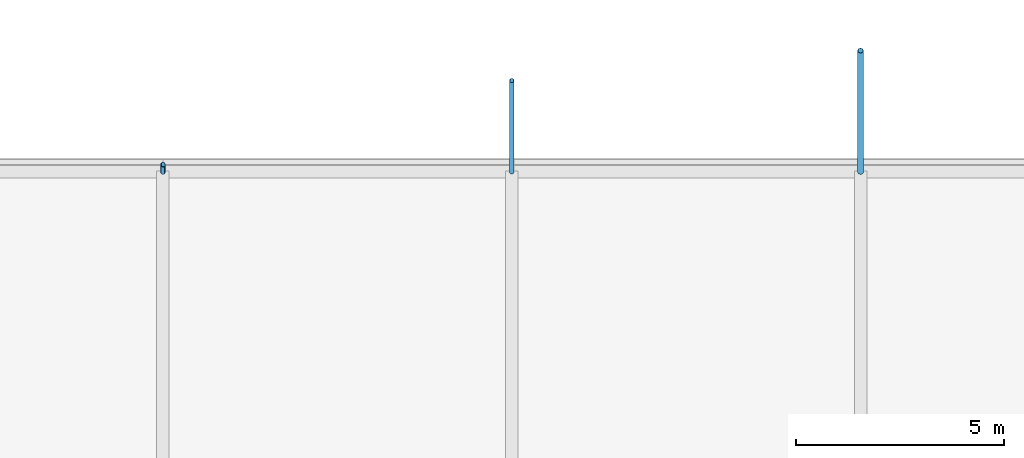
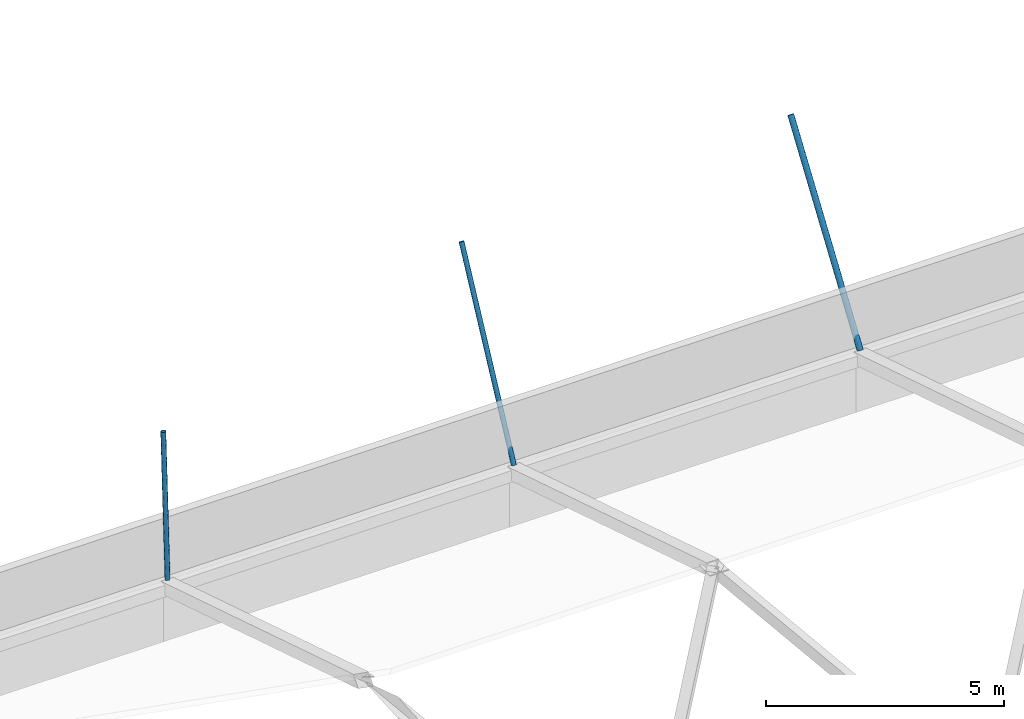
# One storey, part 51 of 85: 3 discrete accessories.
"""IFC4 building model written with IfcOpenShell, lengths in metres."""

import ifcopenshell
import ifcopenshell.guid

model = None  # the IFC model being written
_history = None  # IfcOwnerHistory: only IFC2X3 demands one
_inside = {}  # id of a spatial element -> (the spatial element, [elements in it])
_under = {}  # id of a project, library or spatial element -> (it, [spatial elements below it])
_declared = {}  # id of a project -> (the project, [libraries it declares])
_typed = {}  # id of a type object -> (the type object, [elements of that type])
_made_of = {}  # id of a material, layer set ... -> (it, [elements and type objects made of it])


def new_model(schema):
    """Start an empty IFC model of exactly this schema.

    Asked for "IFC4X3", IfcOpenShell would pick the latest addendum, in which some entities
    have other attributes; the version numbers below select the first issue.
    IFC2X3 requires an IfcOwnerHistory on every rooted entity: one is made here for all.
    """
    global model, _history
    if schema == "IFC4X3":
        model = ifcopenshell.file(schema_version=(4, 3, 0, 0))
    else:
        model = ifcopenshell.file(schema=schema)
    _inside.clear()
    _under.clear()
    _declared.clear()
    _typed.clear()
    _made_of.clear()
    _history = None
    if model.schema == "IFC2X3":
        org = make("IfcOrganization", Name="unknown")
        user = make(
            "IfcPersonAndOrganization",
            ThePerson=make("IfcPerson", FamilyName="unknown"),
            TheOrganization=org,
        )
        app = make(
            "IfcApplication",
            ApplicationDeveloper=org,
            Version="unknown",
            ApplicationFullName="unknown",
            ApplicationIdentifier="unknown",
        )
        _history = make(
            "IfcOwnerHistory",
            OwningUser=user,
            OwningApplication=app,
            ChangeAction="ADDED",
            CreationDate=0,
        )
    return model


def make(cls, **values):
    """One entity of the class cls with the attributes given. An attribute that is None is left unset."""
    return model.create_entity(
        cls, **{name: value for name, value in values.items() if value is not None}
    )


def rooted(cls, **values):
    """An entity with a GlobalId (a new one), such as an element, a storey or a relation."""
    return make(cls, GlobalId=ifcopenshell.guid.new(), OwnerHistory=_history, **values)


def si_unit(unit_type, name, prefix=None):
    """IfcSIUnit, for example si_unit("LENGTHUNIT", "METRE", prefix="MILLI")."""
    return make("IfcSIUnit", UnitType=unit_type, Prefix=prefix, Name=name)


def assignment(units):
    """IfcUnitAssignment: the units of a project."""
    return None if units is None else make("IfcUnitAssignment", Units=units)


def point(xyz):
    """IfcCartesianPoint."""
    return None if xyz is None else make("IfcCartesianPoint", Coordinates=xyz)


def direction(xyz):
    """IfcDirection."""
    return None if xyz is None else make("IfcDirection", DirectionRatios=xyz)


def frame(location, z_axis=None, x_axis=None):
    """IfcAxis2Placement3D, a coordinate frame: its origin and axes. An axis left out is left unset."""
    return make(
        "IfcAxis2Placement3D",
        Location=point(location),
        Axis=direction(z_axis),
        RefDirection=direction(x_axis),
    )


def frame_2d(location, x_axis=None):
    """IfcAxis2Placement2D, a coordinate frame in the plane: its origin and x axis."""
    return make(
        "IfcAxis2Placement2D", Location=point(location), RefDirection=direction(x_axis)
    )


def origin():
    """The frame at (0, 0, 0) with its axes left unset."""
    return frame((0.0, 0.0, 0.0))


def origin_2d():
    """The frame at (0, 0) in the plane with its x axis left unset."""
    return frame_2d((0.0, 0.0))


def place(relative_to, where):
    """IfcLocalPlacement: puts the frame where relative to a parent placement (None: the world)."""
    return make(
        "IfcLocalPlacement", PlacementRelTo=relative_to, RelativePlacement=where
    )


def context(
    kind, dimensions, precision=None, world=None, true_north=None, identifier=None
):
    """IfcGeometricRepresentationContext, for example the 3D "Model" context."""
    return make(
        "IfcGeometricRepresentationContext",
        ContextIdentifier=identifier,
        ContextType=kind,
        CoordinateSpaceDimension=dimensions,
        Precision=precision,
        WorldCoordinateSystem=world,
        TrueNorth=true_north,
    )


def subcontext(parent, identifier, kind, view, scale=None):
    """IfcGeometricRepresentationSubContext, for example "Body" below "Model"."""
    return make(
        "IfcGeometricRepresentationSubContext",
        ContextIdentifier=identifier,
        ContextType=kind,
        ParentContext=parent,
        TargetScale=scale,
        TargetView=view,
    )


def project(units=None, contexts=None):
    """IfcProject with its units and contexts."""
    return rooted(
        "IfcProject",
        Name="project",
        RepresentationContexts=contexts,
        UnitsInContext=assignment(units),
    )


def spatial(cls, under=None, at=None, **own):
    """A site, building, storey or space (cls), placed at a placement, below another one or the project."""
    s = rooted(cls, ObjectPlacement=at, **own)
    if under is not None:
        _under.setdefault(under.id(), (under, []))[1].append(s)
    return s


def profile(cls, at=None, kind="AREA", **sizes):
    """A parametric profile (cls). Its sizes go by their IFC names, for example OverallWidth=200.0."""
    return make(cls, ProfileType=kind, Position=at, **sizes)


def hollow_circle(**sizes):
    """IfcCircleHollowProfileDef."""
    return profile("IfcCircleHollowProfileDef", **sizes)


def extrude(swept, where, along, depth):
    """IfcExtrudedAreaSolid: the profile swept, set in the frame where, extruded along a direction by depth."""
    return make(
        "IfcExtrudedAreaSolid",
        SweptArea=swept,
        Position=where,
        ExtrudedDirection=direction(along),
        Depth=depth,
    )


def shape(context_of_items, identifier, shape_type, items):
    """IfcShapeRepresentation: the items that make up one representation, for example the "Body"."""
    return make(
        "IfcShapeRepresentation",
        ContextOfItems=context_of_items,
        RepresentationIdentifier=identifier,
        RepresentationType=shape_type,
        Items=items,
    )


def material(Name=None, Category=None):
    """IfcMaterial."""
    return make("IfcMaterial", Name=Name, Category=Category)


def material_profile(
    of_material, cross_section, Name=None, Category=None, Priority=None
):
    """IfcMaterialProfile: a cross section and its material."""
    return make(
        "IfcMaterialProfile",
        Name=Name,
        Material=of_material,
        Profile=cross_section,
        Priority=Priority,
        Category=Category,
    )


def profile_set(profiles, Name=None, composite=None):
    """IfcMaterialProfileSet."""
    return make(
        "IfcMaterialProfileSet",
        Name=Name,
        MaterialProfiles=profiles,
        CompositeProfile=composite,
    )


def made_of(thing, what):
    """Note that an element or type object is made of a material, layer set ...; save() writes the relation."""
    if what is not None:
        _made_of.setdefault(what.id(), (what, []))[1].append(thing)
    return thing


def type_object(cls, material=None, **own):
    """A type object (cls), such as IfcWallType, which elements share."""
    return made_of(rooted(cls, **own), material)


def element(
    cls,
    number,
    at=None,
    inside=None,
    cuts=None,
    type_object=None,
    material=None,
    context=None,
    identifier="Body",
    shape_type=None,
    held_by="IfcProductDefinitionShape",
    body=None,
    shapes=None,
    **own,
):
    """One element of the class cls, such as IfcWall. Its Tag is "e" and its number.

    at: its placement. inside: the storey or other place that contains it. cuts: it is an
    opening in that element (IfcRelVoidsElement). A single representation is given by context,
    identifier, shape_type and body (its items); several are given by shapes. held_by: the class
    of the entity that holds the representations. save() writes the other relations.
    """
    e = rooted(cls, Tag="e%d" % number, ObjectPlacement=at, **own)
    if body is not None:
        shapes = [shape(context, identifier, shape_type, body)]
    if shapes is not None:
        e.Representation = make(held_by, Representations=shapes)
    if inside is not None:
        _inside.setdefault(inside.id(), (inside, []))[1].append(e)
    if cuts is not None:
        rooted(
            "IfcRelVoidsElement", RelatingBuildingElement=cuts, RelatedOpeningElement=e
        )
    if type_object is not None:
        _typed.setdefault(type_object.id(), (type_object, []))[1].append(e)
    return made_of(e, material)


def aggregate(whole, parts):
    """IfcRelAggregates: a whole, such as a stair, and the parts it consists of."""
    return rooted("IfcRelAggregates", RelatingObject=whole, RelatedObjects=parts)


def save(model, path):
    """Write the relations noted so far, then the file.

    IfcRelAggregates (storeys below a building ...), IfcRelContainedInSpatialStructure (elements
    in a storey), IfcRelDefinesByType, IfcRelAssociatesMaterial and IfcRelDeclares: one each for
    every whole, place, type object, material and project.
    """
    for whole, parts in _under.values():
        aggregate(whole, parts)
    for where, things in _inside.values():
        rooted(
            "IfcRelContainedInSpatialStructure",
            RelatedElements=things,
            RelatingStructure=where,
        )
    for kind, things in _typed.values():
        rooted("IfcRelDefinesByType", RelatedObjects=things, RelatingType=kind)
    for what, things in _made_of.values():
        rooted("IfcRelAssociatesMaterial", RelatedObjects=things, RelatingMaterial=what)
    for by, libraries in _declared.values():
        rooted("IfcRelDeclares", RelatingContext=by, RelatedDefinitions=libraries)
    model.write(path)


model = new_model("IFC4")

# Units and contexts
model_context = context("Model", 3, precision=1e-05, world=origin(), true_north=direction((0.0, 1.0)))
body_context = subcontext(model_context, "Body", "Model", "MODEL_VIEW")
ifc_project = project(units=[si_unit("LENGTHUNIT", "METRE"), si_unit("AREAUNIT", "SQUARE_METRE"), si_unit("VOLUMEUNIT", "CUBIC_METRE"), si_unit("PLANEANGLEUNIT", "RADIAN"), si_unit("MASSUNIT", "GRAM", prefix="KILO")], contexts=[model_context])

# Site, building, storey
site_placement = place(None, origin())
site = spatial("IfcSite", under=ifc_project, at=site_placement, CompositionType="ELEMENT")
building_placement = place(site_placement, origin())
building = spatial("IfcBuilding", under=site, at=building_placement, Name="Rain Tree Exposition and Congress Centre", CompositionType="ELEMENT")
storey_placement = place(building_placement, frame((0.0, 0.0, 15.0)))
storey = spatial("IfcBuildingStorey", under=building, at=storey_placement, Name="L03", CompositionType="ELEMENT", Elevation=15.0)

# Discrete accessories
ifc_material_1 = material(Name="Steel S355J2H", Category="steel")
ifc_material_profile_1 = material_profile(ifc_material_1, hollow_circle(Radius=0.05712890625, WallThickness=0.00439453125, at=origin_2d()), Name="CHS 114x4.5")
ifc_profile_set_1 = profile_set([ifc_material_profile_1], Name="Steel S355J2H")
discrete_accessory_type_1 = type_object("IfcDiscreteAccessoryType", Name="Roof skin post CHS 114x4.5", PredefinedType="BRACKET", material=ifc_profile_set_1)
discrete_accessory_1_placement = place(storey_placement, frame((100.800048828125, 201.60009765625, 3.0), z_axis=(0.0, 0.048119471965, 0.998841587249), x_axis=(-1.0, 0.0, 0.0)))
element("IfcDiscreteAccessory", 1, at=discrete_accessory_1_placement, inside=storey, type_object=discrete_accessory_type_1, Name="Roof skin post A192", PredefinedType="BRACKET", context=body_context, shape_type="SweptSolid", body=[
    extrude(hollow_circle(Radius=0.05712890625, WallThickness=0.00439453125, at=origin_2d()), origin(), (0.0, 0.0, 1.0), 3.703857421875),
])
discrete_accessory_2_placement = place(storey_placement, frame((109.199951171875, 201.60009765625, 3.0), z_axis=(0.0, 0.447352565713, 0.894357692397), x_axis=(-1.0, 0.0, 0.0)))
element("IfcDiscreteAccessory", 2, at=discrete_accessory_2_placement, inside=storey, type_object=discrete_accessory_type_1, Name="Roof skin post A193", PredefinedType="BRACKET", context=body_context, shape_type="SweptSolid", body=[
    extrude(hollow_circle(Radius=0.05712890625, WallThickness=0.00439453125, at=origin_2d()), origin(), (0.0, 0.0, 1.0), 4.918701171875),
])
ifc_material_2 = material(Name="Steel S355J2H", Category="steel")
ifc_material_profile_2 = material_profile(ifc_material_2, hollow_circle(Radius=0.06982421875, WallThickness=0.0048828125, at=origin_2d()), Name="CHS 140x5")
ifc_profile_set_2 = profile_set([ifc_material_profile_2], Name="Steel S355J2H")
discrete_accessory_type_2 = type_object("IfcDiscreteAccessoryType", Name="Roof skin post CHS 140x5", PredefinedType="BRACKET", material=ifc_profile_set_2)
discrete_accessory_3_placement = place(storey_placement, frame((117.60009765625, 201.60009765625, 3.0), z_axis=(0.0, 0.564225853264, 0.825620485761), x_axis=(-1.0, 0.0, 0.0)))
element("IfcDiscreteAccessory", 3, at=discrete_accessory_3_placement, inside=storey, type_object=discrete_accessory_type_2, Name="Roof skin post A194", PredefinedType="BRACKET", context=body_context, shape_type="SweptSolid", body=[
    extrude(hollow_circle(Radius=0.06982421875, WallThickness=0.0048828125, at=origin_2d()), origin(), (0.0, 0.0, 1.0), 5.178955078125),
])

save(model, "model.ifc")
